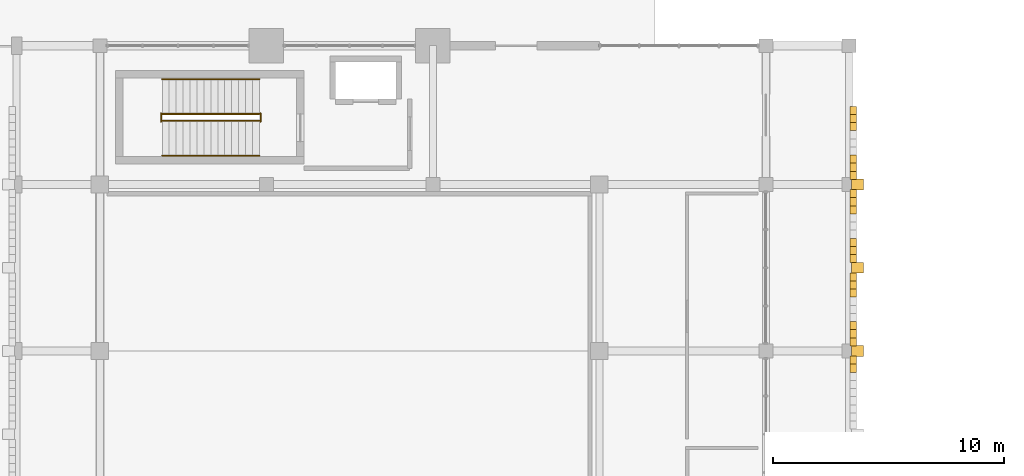
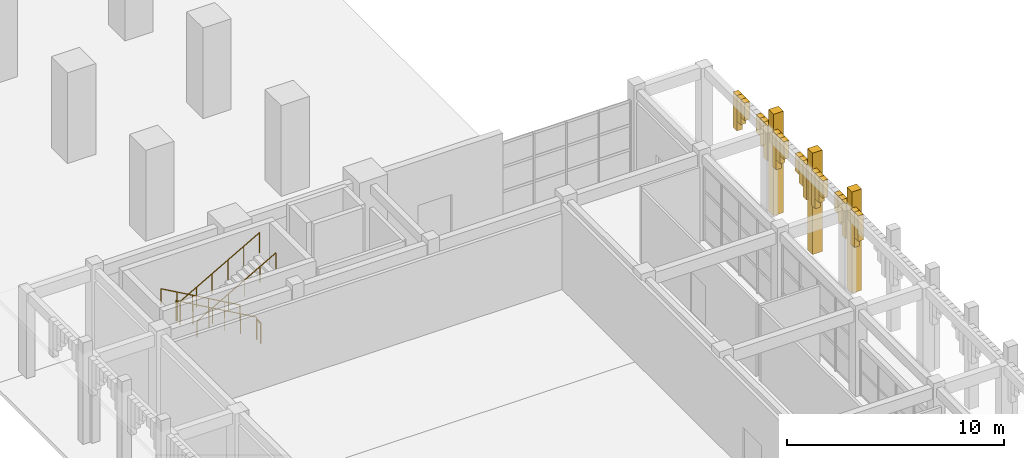
# One storey, part 49 of 72: 23 coverings, 6 railings.
"""IFC4 building model written with IfcOpenShell, lengths in metres."""

from ifc_helpers import new_model, si_unit, direction, frame, origin, origin_2d, place, context, subcontext, project, spatial, rectangle, circle, extrude, material, layer, layer_set, type_object, element, save


model = new_model("IFC4")

# Units and contexts
model_context = context("Model", 3, precision=1e-05, world=origin(), true_north=direction((0.0, 1.0)))
body_context = subcontext(model_context, "Body", "Model", "MODEL_VIEW")
ifc_project = project(units=[si_unit("LENGTHUNIT", "METRE"), si_unit("AREAUNIT", "SQUARE_METRE"), si_unit("VOLUMEUNIT", "CUBIC_METRE"), si_unit("PLANEANGLEUNIT", "RADIAN"), si_unit("MASSUNIT", "GRAM", prefix="KILO")], contexts=[model_context])

# Site, building, storey
site_placement = place(None, origin())
site = spatial("IfcSite", under=ifc_project, at=site_placement, CompositionType="ELEMENT")
building_placement = place(site_placement, origin())
building = spatial("IfcBuilding", under=site, at=building_placement, Name="Nzembalo Square Collegiate School", CompositionType="ELEMENT")
storey_placement = place(building_placement, origin())
storey = spatial("IfcBuildingStorey", under=building, at=storey_placement, Name="L00", CompositionType="ELEMENT", Elevation=0.0)

# Coverings
ifc_material_1 = material(Name="Precast concrete C40/50 arch voussoir", Category="concrete")
ifc_layer = layer(ifc_material_1, 0.1201171875, Name="Precast concrete C40/50 arch voussoir")
ifc_layer_set = layer_set([ifc_layer], Name="Precast concrete C40/50 arch voussoir")
covering_type = type_object("IfcCoveringType", Name="AR01", PredefinedType="CLADDING", material=ifc_layer_set)
covering_1_placement = place(storey_placement, frame((40.97998046875, 36.453369140625, 3.361328125), z_axis=(0.0, 0.0, 1.0), x_axis=(1.0, 0.0, 0.0)))
element("IfcCovering", 1, at=covering_1_placement, inside=storey, type_object=covering_type, Name="Gothic pointed arch voussoir AR01-038-7", PredefinedType="CLADDING", context=body_context, shape_type="SweptSolid", body=[
    extrude(rectangle(XDim=0.280029296875, YDim=0.35107421875, at=origin_2d()), origin(), (0.0, 0.0, 1.0), 1.438720703125),
])
covering_2_placement = place(storey_placement, frame((40.97998046875, 36.804443359375, 2.80859375), z_axis=(0.0, 0.0, 1.0), x_axis=(1.0, 0.0, 0.0)))
element("IfcCovering", 2, at=covering_2_placement, inside=storey, type_object=covering_type, Name="Gothic pointed arch voussoir AR01-038-8", PredefinedType="CLADDING", context=body_context, shape_type="SweptSolid", body=[
    extrude(rectangle(XDim=0.280029296875, YDim=0.35107421875, at=origin_2d()), origin(), (0.0, 0.0, 1.0), 1.991455078125),
])
covering_3_placement = place(storey_placement, frame((40.97998046875, 37.595703125, 2.808349609375), z_axis=(0.0, 0.0, 1.0), x_axis=(1.0, 0.0, 0.0)))
element("IfcCovering", 3, at=covering_3_placement, inside=storey, type_object=covering_type, Name="Gothic pointed arch voussoir AR01-039-0", PredefinedType="CLADDING", context=body_context, shape_type="SweptSolid", body=[
    extrude(rectangle(XDim=0.280029296875, YDim=0.35107421875, at=origin_2d()), origin(), (0.0, 0.0, 1.0), 1.99169921875),
])
covering_4_placement = place(storey_placement, frame((40.97998046875, 37.94677734375, 3.361083984375), z_axis=(0.0, 0.0, 1.0), x_axis=(1.0, 0.0, 0.0)))
element("IfcCovering", 4, at=covering_4_placement, inside=storey, type_object=covering_type, Name="Gothic pointed arch voussoir AR01-039-1", PredefinedType="CLADDING", context=body_context, shape_type="SweptSolid", body=[
    extrude(rectangle(XDim=0.280029296875, YDim=0.35107421875, at=origin_2d()), origin(), (0.0, 0.0, 1.0), 1.43896484375),
])
for number, where, z_axis, x_axis, name in (
    (5, (40.97998046875, 38.2978515625, 3.810546875), (0.0, 0.0, 1.0), (1.0, 0.0, 0.0), "Gothic pointed arch voussoir AR01-039-2"),
    (6, (40.97998046875, 39.7021484375, 3.810546875), (0.0, 0.0, 1.0), (1.0, 0.0, 0.0), "Gothic pointed arch voussoir AR01-039-6"),
):
    element("IfcCovering", number, at=place(storey_placement, frame(where, z_axis=z_axis, x_axis=x_axis)), inside=storey, type_object=covering_type, Name=name, PredefinedType="CLADDING", context=body_context, shape_type="SweptSolid", body=[
        extrude(rectangle(XDim=0.280029296875, YDim=0.35107421875, at=origin_2d()), origin(), (0.0, 0.0, 1.0), 0.989501953125),
    ])
covering_5_placement = place(storey_placement, frame((40.97998046875, 40.05322265625, 3.361328125), z_axis=(0.0, 0.0, 1.0), x_axis=(1.0, 0.0, 0.0)))
element("IfcCovering", 7, at=covering_5_placement, inside=storey, type_object=covering_type, Name="Gothic pointed arch voussoir AR01-039-7", PredefinedType="CLADDING", context=body_context, shape_type="SweptSolid", body=[
    extrude(rectangle(XDim=0.280029296875, YDim=0.35107421875, at=origin_2d()), origin(), (0.0, 0.0, 1.0), 1.438720703125),
])
covering_6_placement = place(storey_placement, frame((40.97998046875, 40.404296875, 2.80859375), z_axis=(0.0, 0.0, 1.0), x_axis=(1.0, 0.0, 0.0)))
element("IfcCovering", 8, at=covering_6_placement, inside=storey, type_object=covering_type, Name="Gothic pointed arch voussoir AR01-039-8", PredefinedType="CLADDING", context=body_context, shape_type="SweptSolid", body=[
    extrude(rectangle(XDim=0.280029296875, YDim=0.35107421875, at=origin_2d()), origin(), (0.0, 0.0, 1.0), 1.991455078125),
])
covering_7_placement = place(storey_placement, frame((41.159912109375, 37.199951171875, 0.0), z_axis=(0.0, 0.0, 1.0), x_axis=(1.0, 0.0, 0.0)))
element("IfcCovering", 9, at=covering_7_placement, inside=storey, type_object=covering_type, Name="Gothic arcade buttress pinnacle AR01-B039", PredefinedType="CLADDING", context=body_context, shape_type="SweptSolid", body=[
    extrude(rectangle(XDim=0.52001953125, YDim=0.4599609375, at=origin_2d()), origin(), (0.0, 0.0, 1.0), 5.699951171875),
])
covering_8_placement = place(storey_placement, frame((40.97998046875, 41.195556640625, 2.808349609375), z_axis=(0.0, 0.0, 1.0), x_axis=(1.0, 0.0, 0.0)))
element("IfcCovering", 10, at=covering_8_placement, inside=storey, type_object=covering_type, Name="Gothic pointed arch voussoir AR01-040-0", PredefinedType="CLADDING", context=body_context, shape_type="SweptSolid", body=[
    extrude(rectangle(XDim=0.280029296875, YDim=0.35107421875, at=origin_2d()), origin(), (0.0, 0.0, 1.0), 1.99169921875),
])
covering_9_placement = place(storey_placement, frame((40.97998046875, 41.546630859375, 3.361083984375), z_axis=(0.0, 0.0, 1.0), x_axis=(1.0, 0.0, 0.0)))
element("IfcCovering", 11, at=covering_9_placement, inside=storey, type_object=covering_type, Name="Gothic pointed arch voussoir AR01-040-1", PredefinedType="CLADDING", context=body_context, shape_type="SweptSolid", body=[
    extrude(rectangle(XDim=0.280029296875, YDim=0.35107421875, at=origin_2d()), origin(), (0.0, 0.0, 1.0), 1.43896484375),
])
for number, where, z_axis, x_axis, name in (
    (12, (40.97998046875, 41.897705078125, 3.810546875), (0.0, 0.0, 1.0), (1.0, 0.0, 0.0), "Gothic pointed arch voussoir AR01-040-2"),
    (13, (40.97998046875, 43.30224609375, 3.810546875), (0.0, 0.0, 1.0), (1.0, 0.0, 0.0), "Gothic pointed arch voussoir AR01-040-6"),
):
    element("IfcCovering", number, at=place(storey_placement, frame(where, z_axis=z_axis, x_axis=x_axis)), inside=storey, type_object=covering_type, Name=name, PredefinedType="CLADDING", context=body_context, shape_type="SweptSolid", body=[
        extrude(rectangle(XDim=0.280029296875, YDim=0.35107421875, at=origin_2d()), origin(), (0.0, 0.0, 1.0), 0.989501953125),
    ])
covering_10_placement = place(storey_placement, frame((40.97998046875, 43.6533203125, 3.361328125), z_axis=(0.0, 0.0, 1.0), x_axis=(1.0, 0.0, 0.0)))
element("IfcCovering", 14, at=covering_10_placement, inside=storey, type_object=covering_type, Name="Gothic pointed arch voussoir AR01-040-7", PredefinedType="CLADDING", context=body_context, shape_type="SweptSolid", body=[
    extrude(rectangle(XDim=0.280029296875, YDim=0.35107421875, at=origin_2d()), origin(), (0.0, 0.0, 1.0), 1.438720703125),
])
covering_11_placement = place(storey_placement, frame((40.97998046875, 44.00439453125, 2.80859375), z_axis=(0.0, 0.0, 1.0), x_axis=(1.0, 0.0, 0.0)))
element("IfcCovering", 15, at=covering_11_placement, inside=storey, type_object=covering_type, Name="Gothic pointed arch voussoir AR01-040-8", PredefinedType="CLADDING", context=body_context, shape_type="SweptSolid", body=[
    extrude(rectangle(XDim=0.280029296875, YDim=0.35107421875, at=origin_2d()), origin(), (0.0, 0.0, 1.0), 1.991455078125),
])
covering_12_placement = place(storey_placement, frame((41.159912109375, 40.800048828125, 0.0), z_axis=(0.0, 0.0, 1.0), x_axis=(1.0, 0.0, 0.0)))
element("IfcCovering", 16, at=covering_12_placement, inside=storey, type_object=covering_type, Name="Gothic arcade buttress pinnacle AR01-B040", PredefinedType="CLADDING", context=body_context, shape_type="SweptSolid", body=[
    extrude(rectangle(XDim=0.52001953125, YDim=0.4599609375, at=origin_2d()), origin(), (0.0, 0.0, 1.0), 5.699951171875),
])
covering_13_placement = place(storey_placement, frame((40.97998046875, 44.795654296875, 2.808349609375), z_axis=(0.0, 0.0, 1.0), x_axis=(1.0, 0.0, 0.0)))
element("IfcCovering", 17, at=covering_13_placement, inside=storey, type_object=covering_type, Name="Gothic pointed arch voussoir AR01-041-0", PredefinedType="CLADDING", context=body_context, shape_type="SweptSolid", body=[
    extrude(rectangle(XDim=0.280029296875, YDim=0.35107421875, at=origin_2d()), origin(), (0.0, 0.0, 1.0), 1.99169921875),
])
covering_14_placement = place(storey_placement, frame((40.97998046875, 45.146728515625, 3.361083984375), z_axis=(0.0, 0.0, 1.0), x_axis=(1.0, 0.0, 0.0)))
element("IfcCovering", 18, at=covering_14_placement, inside=storey, type_object=covering_type, Name="Gothic pointed arch voussoir AR01-041-1", PredefinedType="CLADDING", context=body_context, shape_type="SweptSolid", body=[
    extrude(rectangle(XDim=0.280029296875, YDim=0.35107421875, at=origin_2d()), origin(), (0.0, 0.0, 1.0), 1.43896484375),
])
for number, where, z_axis, x_axis, name in (
    (19, (40.97998046875, 45.497802734375, 3.810546875), (0.0, 0.0, 1.0), (1.0, 0.0, 0.0), "Gothic pointed arch voussoir AR01-041-2"),
    (20, (40.97998046875, 46.902099609375, 3.810546875), (0.0, 0.0, 1.0), (1.0, 0.0, 0.0), "Gothic pointed arch voussoir AR01-041-6"),
):
    element("IfcCovering", number, at=place(storey_placement, frame(where, z_axis=z_axis, x_axis=x_axis)), inside=storey, type_object=covering_type, Name=name, PredefinedType="CLADDING", context=body_context, shape_type="SweptSolid", body=[
        extrude(rectangle(XDim=0.280029296875, YDim=0.35107421875, at=origin_2d()), origin(), (0.0, 0.0, 1.0), 0.989501953125),
    ])
covering_15_placement = place(storey_placement, frame((40.97998046875, 47.25341796875, 3.361328125), z_axis=(0.0, 0.0, 1.0), x_axis=(1.0, 0.0, 0.0)))
element("IfcCovering", 21, at=covering_15_placement, inside=storey, type_object=covering_type, Name="Gothic pointed arch voussoir AR01-041-7", PredefinedType="CLADDING", context=body_context, shape_type="SweptSolid", body=[
    extrude(rectangle(XDim=0.280029296875, YDim=0.35107421875, at=origin_2d()), origin(), (0.0, 0.0, 1.0), 1.438720703125),
])
covering_16_placement = place(storey_placement, frame((40.97998046875, 47.6044921875, 2.80859375), z_axis=(0.0, 0.0, 1.0), x_axis=(1.0, 0.0, 0.0)))
element("IfcCovering", 22, at=covering_16_placement, inside=storey, type_object=covering_type, Name="Gothic pointed arch voussoir AR01-041-8", PredefinedType="CLADDING", context=body_context, shape_type="SweptSolid", body=[
    extrude(rectangle(XDim=0.280029296875, YDim=0.35107421875, at=origin_2d()), origin(), (0.0, 0.0, 1.0), 1.991455078125),
])
covering_17_placement = place(storey_placement, frame((41.159912109375, 44.39990234375, 0.0), z_axis=(0.0, 0.0, 1.0), x_axis=(1.0, 0.0, 0.0)))
element("IfcCovering", 23, at=covering_17_placement, inside=storey, type_object=covering_type, Name="Gothic arcade buttress pinnacle AR01-B041", PredefinedType="CLADDING", context=body_context, shape_type="SweptSolid", body=[
    extrude(rectangle(XDim=0.52001953125, YDim=0.4599609375, at=origin_2d()), origin(), (0.0, 0.0, 1.0), 5.699951171875),
])

# Railings
ifc_material_2 = material(Name="Steel S355", Category="steel")
railing_type_1 = type_object("IfcRailingType", Name="GR01", PredefinedType="GUARDRAIL", material=ifc_material_2)
railing_1_placement = place(storey_placement, frame((15.300048828125, 47.449951171875, 0.159912109375)))
element("IfcRailing", 24, at=railing_1_placement, inside=storey, type_object=railing_type_1, Name="Stair guard GR-02-1", PredefinedType="GUARDRAIL", context=body_context, shape_type="SweptSolid", body=[
    extrude(circle(Radius=0.02392578125, at=origin_2d()), frame((0.0, 0.0, 1.1259765625), z_axis=(-0.870008446991, 0.0, 0.493036816236), x_axis=(0.0, -1.0, 0.0)), (0.0, 0.0, 1.0), 4.827392578125),
    extrude(circle(Radius=0.02099609375, at=origin_2d()), origin(), (0.0, 0.0, 1.0), 1.101806640625),
    extrude(circle(Radius=0.02099609375, at=origin_2d()), frame((-0.840087890625, 0.0, 0.47607421875)), (0.0, 0.0, 1.0), 1.101806640625),
    extrude(circle(Radius=0.02099609375, at=origin_2d()), frame((-1.679931640625, 0.0, 0.9521484375)), (0.0, 0.0, 1.0), 1.101806640625),
    extrude(circle(Radius=0.02099609375, at=origin_2d()), frame((-2.52001953125, 0.0, 1.427978515625)), (0.0, 0.0, 1.0), 1.101806640625),
    extrude(circle(Radius=0.02099609375, at=origin_2d()), frame((-3.35986328125, 0.0, 1.904052734375)), (0.0, 0.0, 1.0), 1.101806640625),
    extrude(circle(Radius=0.02099609375, at=origin_2d()), frame((-4.199951171875, 0.0, 2.380126953125)), (0.0, 0.0, 1.0), 1.101806640625),
])
railing_2_placement = place(storey_placement, frame((11.050048828125, 47.1201171875, 2.544921875)))
element("IfcRailing", 25, at=railing_2_placement, inside=storey, type_object=railing_type_1, Name="Stair guard GR-02-2", PredefinedType="GUARDRAIL", context=body_context, shape_type="SweptSolid", body=[
    extrude(circle(Radius=0.02392578125, at=origin_2d()), frame((0.0, 0.0, 1.1259765625), z_axis=(0.0, 1.0, 0.0), x_axis=(-1.0, 0.0, 0.0)), (0.0, 0.0, 1.0), 0.35986328125),
    extrude(circle(Radius=0.02099609375, at=origin_2d()), origin(), (0.0, 0.0, 1.0), 1.101806640625),
    extrude(circle(Radius=0.02099609375, at=origin_2d()), frame((0.0, 0.35986328125, 0.0)), (0.0, 0.0, 1.0), 1.101806640625),
])
railing_3_placement = place(storey_placement, frame((11.10009765625, 47.14990234375, 2.7099609375)))
element("IfcRailing", 26, at=railing_3_placement, inside=storey, type_object=railing_type_1, Name="Stair guard GR-02-3", PredefinedType="GUARDRAIL", context=body_context, shape_type="SweptSolid", body=[
    extrude(circle(Radius=0.02392578125, at=origin_2d()), frame((0.0, 0.0, 1.1259765625), z_axis=(0.870008446991, 0.0, 0.493036816236), x_axis=(0.0, 1.0, 0.0)), (0.0, 0.0, 1.0), 4.827392578125),
    extrude(circle(Radius=0.02099609375, at=origin_2d()), origin(), (0.0, 0.0, 1.0), 1.101806640625),
    extrude(circle(Radius=0.02099609375, at=origin_2d()), frame((0.840087890625, 0.0, 0.47607421875)), (0.0, 0.0, 1.0), 1.101806640625),
    extrude(circle(Radius=0.02099609375, at=origin_2d()), frame((1.679931640625, 0.0, 0.9521484375)), (0.0, 0.0, 1.0), 1.101806640625),
    extrude(circle(Radius=0.02099609375, at=origin_2d()), frame((2.52001953125, 0.0, 1.427978515625)), (0.0, 0.0, 1.0), 1.101806640625),
    extrude(circle(Radius=0.02099609375, at=origin_2d()), frame((3.35986328125, 0.0, 1.904052734375)), (0.0, 0.0, 1.0), 1.101806640625),
    extrude(circle(Radius=0.02099609375, at=origin_2d()), frame((4.199951171875, 0.0, 2.380126953125)), (0.0, 0.0, 1.0), 1.101806640625),
])
railing_4_placement = place(storey_placement, frame((15.35009765625, 47.1201171875, -0.0048828125)))
element("IfcRailing", 27, at=railing_4_placement, inside=storey, type_object=railing_type_1, Name="Stair guard GR-02-4", PredefinedType="GUARDRAIL", context=body_context, shape_type="SweptSolid", body=[
    extrude(circle(Radius=0.02392578125, at=origin_2d()), frame((0.0, 0.0, 1.1259765625), z_axis=(0.0, 1.0, 0.0), x_axis=(-1.0, 0.0, 0.0)), (0.0, 0.0, 1.0), 0.35986328125),
    extrude(circle(Radius=0.02099609375, at=origin_2d()), origin(), (0.0, 0.0, 1.0), 1.101806640625),
    extrude(circle(Radius=0.02099609375, at=origin_2d()), frame((0.0, 0.35986328125, 0.0)), (0.0, 0.0, 1.0), 1.101806640625),
])
ifc_material_3 = material(Name="Steel S355", Category="steel")
railing_type_2 = type_object("IfcRailingType", Name="HR01", PredefinedType="HANDRAIL", material=ifc_material_3)
railing_5_placement = place(storey_placement, frame((15.300048828125, 48.949951171875, 0.159912109375)))
element("IfcRailing", 28, at=railing_5_placement, inside=storey, type_object=railing_type_2, Name="Stair handrail HR-02-1", PredefinedType="HANDRAIL", context=body_context, shape_type="SweptSolid", body=[
    extrude(circle(Radius=0.02392578125, at=origin_2d()), frame((0.0, 0.0, 0.89599609375), z_axis=(-0.870008446991, 0.0, 0.493036816236), x_axis=(0.0, -1.0, 0.0)), (0.0, 0.0, 1.0), 4.827392578125),
    extrude(circle(Radius=0.02099609375, at=origin_2d()), origin(), (0.0, 0.0, 1.0), 0.871826171875),
    extrude(circle(Radius=0.02099609375, at=origin_2d()), frame((-0.840087890625, 0.0, 0.47607421875)), (0.0, 0.0, 1.0), 0.871826171875),
    extrude(circle(Radius=0.02099609375, at=origin_2d()), frame((-1.679931640625, 0.0, 0.9521484375)), (0.0, 0.0, 1.0), 0.871826171875),
    extrude(circle(Radius=0.02099609375, at=origin_2d()), frame((-2.52001953125, 0.0, 1.427978515625)), (0.0, 0.0, 1.0), 0.871826171875),
    extrude(circle(Radius=0.02099609375, at=origin_2d()), frame((-3.35986328125, 0.0, 1.904052734375)), (0.0, 0.0, 1.0), 0.871826171875),
    extrude(circle(Radius=0.02099609375, at=origin_2d()), frame((-4.199951171875, 0.0, 2.380126953125)), (0.0, 0.0, 1.0), 0.871826171875),
])
railing_6_placement = place(storey_placement, frame((11.10009765625, 45.64990234375, 2.7099609375)))
element("IfcRailing", 29, at=railing_6_placement, inside=storey, type_object=railing_type_2, Name="Stair handrail HR-02-2", PredefinedType="HANDRAIL", context=body_context, shape_type="SweptSolid", body=[
    extrude(circle(Radius=0.02392578125, at=origin_2d()), frame((0.0, 0.0, 0.89599609375), z_axis=(0.870008446991, 0.0, 0.493036816236), x_axis=(0.0, 1.0, 0.0)), (0.0, 0.0, 1.0), 4.827392578125),
    extrude(circle(Radius=0.02099609375, at=origin_2d()), origin(), (0.0, 0.0, 1.0), 0.871826171875),
    extrude(circle(Radius=0.02099609375, at=origin_2d()), frame((0.840087890625, 0.0, 0.47607421875)), (0.0, 0.0, 1.0), 0.871826171875),
    extrude(circle(Radius=0.02099609375, at=origin_2d()), frame((1.679931640625, 0.0, 0.9521484375)), (0.0, 0.0, 1.0), 0.871826171875),
    extrude(circle(Radius=0.02099609375, at=origin_2d()), frame((2.52001953125, 0.0, 1.427978515625)), (0.0, 0.0, 1.0), 0.871826171875),
    extrude(circle(Radius=0.02099609375, at=origin_2d()), frame((3.35986328125, 0.0, 1.904052734375)), (0.0, 0.0, 1.0), 0.871826171875),
    extrude(circle(Radius=0.02099609375, at=origin_2d()), frame((4.199951171875, 0.0, 2.380126953125)), (0.0, 0.0, 1.0), 0.871826171875),
])

save(model, "model.ifc")
